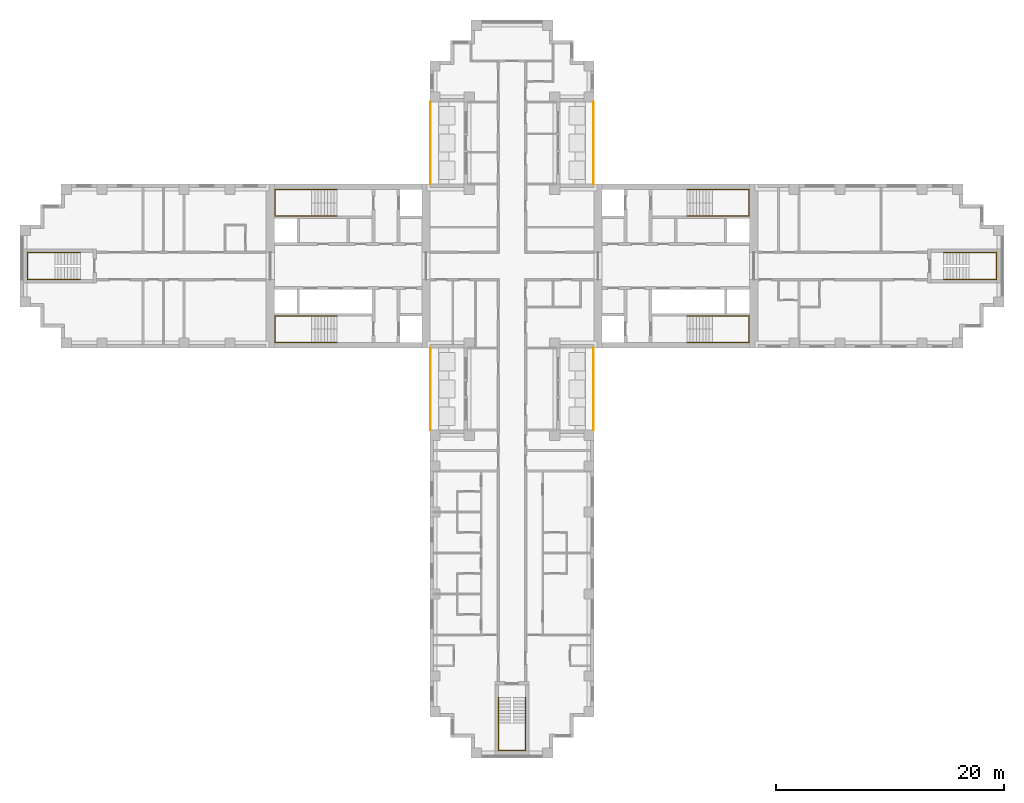
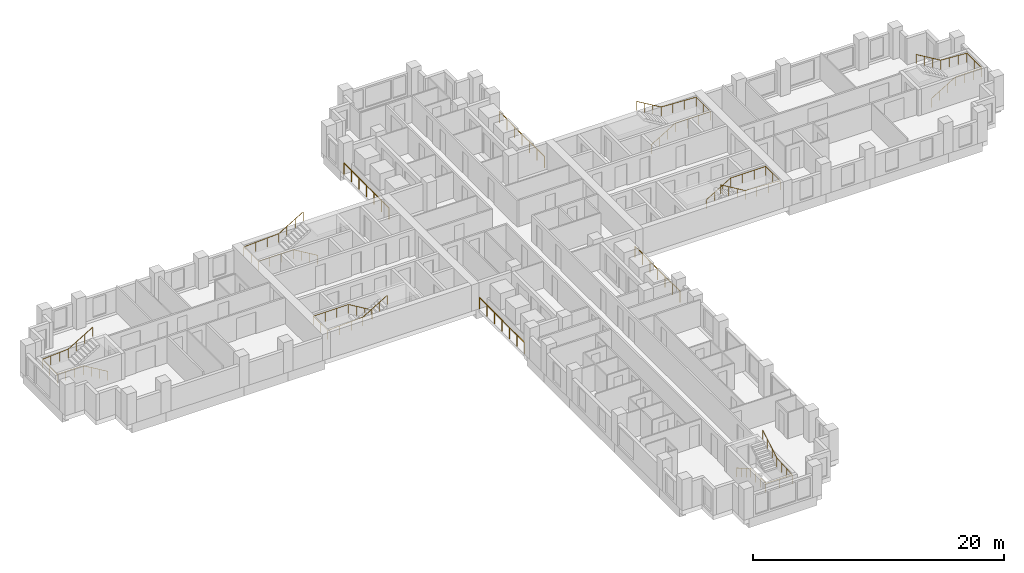
# One storey, part 12 of 13: 11 railings.
"""IFC4 building model written with IfcOpenShell, lengths in metres."""

from ifc_helpers import new_model, si_unit, direction, frame, origin, origin_2d, place, context, subcontext, project, spatial, circle, extrude, material, type_object, element, save


model = new_model("IFC4")

# Units and contexts
model_context = context("Model", 3, precision=1e-05, world=origin(), true_north=direction((0.0, 1.0)))
body_context = subcontext(model_context, "Body", "Model", "MODEL_VIEW")
ifc_project = project(units=[si_unit("LENGTHUNIT", "METRE"), si_unit("AREAUNIT", "SQUARE_METRE"), si_unit("VOLUMEUNIT", "CUBIC_METRE"), si_unit("PLANEANGLEUNIT", "RADIAN"), si_unit("MASSUNIT", "GRAM", prefix="KILO")], contexts=[model_context])

# Site, building, storey
site_placement = place(None, origin())
site = spatial("IfcSite", under=ifc_project, at=site_placement, CompositionType="ELEMENT")
building_placement = place(site_placement, origin())
building = spatial("IfcBuilding", under=site, at=building_placement, Name="Fustian Cross Tower", CompositionType="ELEMENT")
storey_placement = place(building_placement, frame((0.0, 0.0, 108.89990234375)))
storey = spatial("IfcBuildingStorey", under=building, at=storey_placement, Name="L34", CompositionType="ELEMENT", Elevation=108.89990234375)

# Railings
ifc_material_1 = material(Name="Stainless steel and glass", Category="steel")
railing_type_1 = type_object("IfcRailingType", Name="GR1 BALCONY GUARD 1100", PredefinedType="GUARDRAIL", material=ifc_material_1)
for number, where, name in (
    (1, (7.14990234375, 7.199951171875, 0.0), "Balcony guard"),
    (2, (-7.14990234375, 7.199951171875, 0.0), "Balcony guard"),
    (3, (7.14990234375, -14.39990234375, 0.0), "Balcony guard"),
    (4, (-7.14990234375, -14.39990234375, 0.0), "Balcony guard"),
):
    element("IfcRailing", number, at=place(storey_placement, frame(where)), inside=storey, type_object=railing_type_1, Name=name, PredefinedType="GUARDRAIL", context=body_context, shape_type="SweptSolid", body=[
        extrude(circle(Radius=0.02392578125, at=origin_2d()), frame((0.0, 0.0, 1.076171875), z_axis=(0.0, 1.0, 0.0), x_axis=(-1.0, 0.0, 0.0)), (0.0, 0.0, 1.0), 7.199951171875),
        extrude(circle(Radius=0.02099609375, at=origin_2d()), origin(), (0.0, 0.0, 1.0), 1.052001953125),
        extrude(circle(Radius=0.02099609375, at=origin_2d()), frame((0.0, 1.199951171875, 0.0)), (0.0, 0.0, 1.0), 1.052001953125),
        extrude(circle(Radius=0.02099609375, at=origin_2d()), frame((0.0, 2.39990234375, 0.0)), (0.0, 0.0, 1.0), 1.052001953125),
        extrude(circle(Radius=0.02099609375, at=origin_2d()), frame((0.0, 3.60009765625, 0.0)), (0.0, 0.0, 1.0), 1.052001953125),
        extrude(circle(Radius=0.02099609375, at=origin_2d()), frame((0.0, 4.800048828125, 0.0)), (0.0, 0.0, 1.0), 1.052001953125),
        extrude(circle(Radius=0.02099609375, at=origin_2d()), frame((0.0, 6.0, 0.0)), (0.0, 0.0, 1.0), 1.052001953125),
        extrude(circle(Radius=0.02099609375, at=origin_2d()), frame((0.0, 7.199951171875, 0.0)), (0.0, 0.0, 1.0), 1.052001953125),
    ])
ifc_material_2 = material(Name="Stainless steel", Category="steel")
railing_type_2 = type_object("IfcRailingType", Name="STAIR HANDRAIL", PredefinedType="HANDRAIL", material=ifc_material_2)
railing_1_placement = place(storey_placement, frame((15.35009765625, 4.39990234375, 0.166748046875)))
element("IfcRailing", 5, at=railing_1_placement, inside=storey, type_object=railing_type_2, Name="Stair ST1 handrail 1", PredefinedType="HANDRAIL", context=body_context, shape_type="SweptSolid", body=[
    extrude(circle(Radius=0.02490234375, at=origin_2d()), frame((0.0, 0.0, 0.875), z_axis=(0.859305625298, 0.0, 0.511462454469), x_axis=(0.0, 1.0, 0.0)), (0.0, 0.0, 1.0), 2.606689453125),
    extrude(circle(Radius=0.02490234375, at=origin_2d()), frame((2.239990234375, 0.0, 2.2080078125), z_axis=(1.0, 0.0, 0.0), x_axis=(0.0, 1.0, 0.0)), (0.0, 0.0, 1.0), 3.219970703125),
    extrude(circle(Radius=0.02490234375, at=origin_2d()), frame((5.4599609375, 0.0, 2.2080078125), z_axis=(0.0, 1.0, 0.0), x_axis=(-1.0, 0.0, 0.0)), (0.0, 0.0, 1.0), 2.300048828125),
    extrude(circle(Radius=0.02490234375, at=origin_2d()), frame((5.4599609375, 2.300048828125, 2.2080078125), z_axis=(-0.998661817807, 0.0, 0.051716280352), x_axis=(0.0, -1.0, 0.0)), (0.0, 0.0, 1.0), 3.224365234375),
    extrude(circle(Radius=0.02490234375, at=origin_2d()), frame((2.239990234375, 2.300048828125, 2.375), z_axis=(-0.859305625298, 0.0, 0.511462454469), x_axis=(0.0, -1.0, 0.0)), (0.0, 0.0, 1.0), 2.606689453125),
    extrude(circle(Radius=0.02001953125, at=origin_2d()), origin(), (0.0, 0.0, 1.0), 0.849853515625),
    extrude(circle(Radius=0.02001953125, at=origin_2d()), frame((0.74658203125, 0.0, 0.4443359375)), (0.0, 0.0, 1.0), 0.849853515625),
    extrude(circle(Radius=0.02001953125, at=origin_2d()), frame((1.493408203125, 0.0, 0.888916015625)), (0.0, 0.0, 1.0), 0.849853515625),
    extrude(circle(Radius=0.02001953125, at=origin_2d()), frame((2.239990234375, 0.0, 1.333251953125)), (0.0, 0.0, 1.0), 0.849853515625),
    extrude(circle(Radius=0.02001953125, at=origin_2d()), frame((3.313232421875, 0.0, 1.333251953125)), (0.0, 0.0, 1.0), 0.849853515625),
    extrude(circle(Radius=0.02001953125, at=origin_2d()), frame((4.38671875, 0.0, 1.333251953125)), (0.0, 0.0, 1.0), 0.849853515625),
    extrude(circle(Radius=0.02001953125, at=origin_2d()), frame((5.4599609375, 0.0, 1.333251953125)), (0.0, 0.0, 1.0), 0.849853515625),
    extrude(circle(Radius=0.02001953125, at=origin_2d()), frame((5.4599609375, 1.14990234375, 1.333251953125)), (0.0, 0.0, 1.0), 0.849853515625),
    extrude(circle(Radius=0.02001953125, at=origin_2d()), frame((5.4599609375, 2.300048828125, 1.333251953125)), (0.0, 0.0, 1.0), 0.849853515625),
    extrude(circle(Radius=0.02001953125, at=origin_2d()), frame((4.38671875, 2.300048828125, 1.388916015625)), (0.0, 0.0, 1.0), 0.849853515625),
    extrude(circle(Radius=0.02001953125, at=origin_2d()), frame((3.313232421875, 2.300048828125, 1.4443359375)), (0.0, 0.0, 1.0), 0.849853515625),
    extrude(circle(Radius=0.02001953125, at=origin_2d()), frame((2.239990234375, 2.300048828125, 1.5)), (0.0, 0.0, 1.0), 0.849853515625),
    extrude(circle(Radius=0.02001953125, at=origin_2d()), frame((1.493408203125, 2.300048828125, 1.9443359375)), (0.0, 0.0, 1.0), 0.849853515625),
    extrude(circle(Radius=0.02001953125, at=origin_2d()), frame((0.74658203125, 2.300048828125, 2.388916015625)), (0.0, 0.0, 1.0), 0.849853515625),
    extrude(circle(Radius=0.02001953125, at=origin_2d()), frame((0.0, 2.300048828125, 2.833251953125)), (0.0, 0.0, 1.0), 0.849853515625),
])
railing_2_placement = place(storey_placement, frame((15.35009765625, -4.39990234375, 0.166748046875)))
element("IfcRailing", 6, at=railing_2_placement, inside=storey, type_object=railing_type_2, Name="Stair ST2 handrail 1", PredefinedType="HANDRAIL", context=body_context, shape_type="SweptSolid", body=[
    extrude(circle(Radius=0.02490234375, at=origin_2d()), frame((0.0, 0.0, 0.875), z_axis=(0.859305625298, 0.0, 0.511462454469), x_axis=(0.0, 1.0, 0.0)), (0.0, 0.0, 1.0), 2.606689453125),
    extrude(circle(Radius=0.02490234375, at=origin_2d()), frame((2.239990234375, 0.0, 2.2080078125), z_axis=(1.0, 0.0, 0.0), x_axis=(0.0, 1.0, 0.0)), (0.0, 0.0, 1.0), 3.219970703125),
    extrude(circle(Radius=0.02490234375, at=origin_2d()), frame((5.4599609375, 0.0, 2.2080078125), z_axis=(0.0, -1.0, 0.0), x_axis=(1.0, 0.0, 0.0)), (0.0, 0.0, 1.0), 2.300048828125),
    extrude(circle(Radius=0.02490234375, at=origin_2d()), frame((5.4599609375, -2.300048828125, 2.2080078125), z_axis=(-0.998661817807, 0.0, 0.051716280352), x_axis=(0.0, -1.0, 0.0)), (0.0, 0.0, 1.0), 3.224365234375),
    extrude(circle(Radius=0.02490234375, at=origin_2d()), frame((2.239990234375, -2.300048828125, 2.375), z_axis=(-0.859305625298, 0.0, 0.511462454469), x_axis=(0.0, -1.0, 0.0)), (0.0, 0.0, 1.0), 2.606689453125),
    extrude(circle(Radius=0.02001953125, at=origin_2d()), origin(), (0.0, 0.0, 1.0), 0.849853515625),
    extrude(circle(Radius=0.02001953125, at=origin_2d()), frame((0.74658203125, 0.0, 0.4443359375)), (0.0, 0.0, 1.0), 0.849853515625),
    extrude(circle(Radius=0.02001953125, at=origin_2d()), frame((1.493408203125, 0.0, 0.888916015625)), (0.0, 0.0, 1.0), 0.849853515625),
    extrude(circle(Radius=0.02001953125, at=origin_2d()), frame((2.239990234375, 0.0, 1.333251953125)), (0.0, 0.0, 1.0), 0.849853515625),
    extrude(circle(Radius=0.02001953125, at=origin_2d()), frame((3.313232421875, 0.0, 1.333251953125)), (0.0, 0.0, 1.0), 0.849853515625),
    extrude(circle(Radius=0.02001953125, at=origin_2d()), frame((4.38671875, 0.0, 1.333251953125)), (0.0, 0.0, 1.0), 0.849853515625),
    extrude(circle(Radius=0.02001953125, at=origin_2d()), frame((5.4599609375, 0.0, 1.333251953125)), (0.0, 0.0, 1.0), 0.849853515625),
    extrude(circle(Radius=0.02001953125, at=origin_2d()), frame((5.4599609375, -1.14990234375, 1.333251953125)), (0.0, 0.0, 1.0), 0.849853515625),
    extrude(circle(Radius=0.02001953125, at=origin_2d()), frame((5.4599609375, -2.300048828125, 1.333251953125)), (0.0, 0.0, 1.0), 0.849853515625),
    extrude(circle(Radius=0.02001953125, at=origin_2d()), frame((4.38671875, -2.300048828125, 1.388916015625)), (0.0, 0.0, 1.0), 0.849853515625),
    extrude(circle(Radius=0.02001953125, at=origin_2d()), frame((3.313232421875, -2.300048828125, 1.4443359375)), (0.0, 0.0, 1.0), 0.849853515625),
    extrude(circle(Radius=0.02001953125, at=origin_2d()), frame((2.239990234375, -2.300048828125, 1.5)), (0.0, 0.0, 1.0), 0.849853515625),
    extrude(circle(Radius=0.02001953125, at=origin_2d()), frame((1.493408203125, -2.300048828125, 1.9443359375)), (0.0, 0.0, 1.0), 0.849853515625),
    extrude(circle(Radius=0.02001953125, at=origin_2d()), frame((0.74658203125, -2.300048828125, 2.388916015625)), (0.0, 0.0, 1.0), 0.849853515625),
    extrude(circle(Radius=0.02001953125, at=origin_2d()), frame((0.0, -2.300048828125, 2.833251953125)), (0.0, 0.0, 1.0), 0.849853515625),
])
railing_3_placement = place(storey_placement, frame((-15.35009765625, 4.39990234375, 0.166748046875)))
element("IfcRailing", 7, at=railing_3_placement, inside=storey, type_object=railing_type_2, Name="Stair ST3 handrail 1", PredefinedType="HANDRAIL", context=body_context, shape_type="SweptSolid", body=[
    extrude(circle(Radius=0.02490234375, at=origin_2d()), frame((0.0, 0.0, 0.875), z_axis=(-0.859305625298, 0.0, 0.511462454469), x_axis=(0.0, -1.0, 0.0)), (0.0, 0.0, 1.0), 2.606689453125),
    extrude(circle(Radius=0.02490234375, at=origin_2d()), frame((-2.239990234375, 0.0, 2.2080078125), z_axis=(-1.0, 0.0, 0.0), x_axis=(0.0, -1.0, 0.0)), (0.0, 0.0, 1.0), 3.219970703125),
    extrude(circle(Radius=0.02490234375, at=origin_2d()), frame((-5.4599609375, 0.0, 2.2080078125), z_axis=(0.0, 1.0, 0.0), x_axis=(-1.0, 0.0, 0.0)), (0.0, 0.0, 1.0), 2.300048828125),
    extrude(circle(Radius=0.02490234375, at=origin_2d()), frame((-5.4599609375, 2.300048828125, 2.2080078125), z_axis=(0.998661817807, 0.0, 0.051716280352), x_axis=(0.0, 1.0, 0.0)), (0.0, 0.0, 1.0), 3.224365234375),
    extrude(circle(Radius=0.02490234375, at=origin_2d()), frame((-2.239990234375, 2.300048828125, 2.375), z_axis=(0.859305625298, 0.0, 0.511462454469), x_axis=(0.0, 1.0, 0.0)), (0.0, 0.0, 1.0), 2.606689453125),
    extrude(circle(Radius=0.02001953125, at=origin_2d()), origin(), (0.0, 0.0, 1.0), 0.849853515625),
    extrude(circle(Radius=0.02001953125, at=origin_2d()), frame((-0.74658203125, 0.0, 0.4443359375)), (0.0, 0.0, 1.0), 0.849853515625),
    extrude(circle(Radius=0.02001953125, at=origin_2d()), frame((-1.493408203125, 0.0, 0.888916015625)), (0.0, 0.0, 1.0), 0.849853515625),
    extrude(circle(Radius=0.02001953125, at=origin_2d()), frame((-2.239990234375, 0.0, 1.333251953125)), (0.0, 0.0, 1.0), 0.849853515625),
    extrude(circle(Radius=0.02001953125, at=origin_2d()), frame((-3.313232421875, 0.0, 1.333251953125)), (0.0, 0.0, 1.0), 0.849853515625),
    extrude(circle(Radius=0.02001953125, at=origin_2d()), frame((-4.38671875, 0.0, 1.333251953125)), (0.0, 0.0, 1.0), 0.849853515625),
    extrude(circle(Radius=0.02001953125, at=origin_2d()), frame((-5.4599609375, 0.0, 1.333251953125)), (0.0, 0.0, 1.0), 0.849853515625),
    extrude(circle(Radius=0.02001953125, at=origin_2d()), frame((-5.4599609375, 1.14990234375, 1.333251953125)), (0.0, 0.0, 1.0), 0.849853515625),
    extrude(circle(Radius=0.02001953125, at=origin_2d()), frame((-5.4599609375, 2.300048828125, 1.333251953125)), (0.0, 0.0, 1.0), 0.849853515625),
    extrude(circle(Radius=0.02001953125, at=origin_2d()), frame((-4.38671875, 2.300048828125, 1.388916015625)), (0.0, 0.0, 1.0), 0.849853515625),
    extrude(circle(Radius=0.02001953125, at=origin_2d()), frame((-3.313232421875, 2.300048828125, 1.4443359375)), (0.0, 0.0, 1.0), 0.849853515625),
    extrude(circle(Radius=0.02001953125, at=origin_2d()), frame((-2.239990234375, 2.300048828125, 1.5)), (0.0, 0.0, 1.0), 0.849853515625),
    extrude(circle(Radius=0.02001953125, at=origin_2d()), frame((-1.493408203125, 2.300048828125, 1.9443359375)), (0.0, 0.0, 1.0), 0.849853515625),
    extrude(circle(Radius=0.02001953125, at=origin_2d()), frame((-0.74658203125, 2.300048828125, 2.388916015625)), (0.0, 0.0, 1.0), 0.849853515625),
    extrude(circle(Radius=0.02001953125, at=origin_2d()), frame((0.0, 2.300048828125, 2.833251953125)), (0.0, 0.0, 1.0), 0.849853515625),
])
railing_4_placement = place(storey_placement, frame((-15.35009765625, -4.39990234375, 0.166748046875)))
element("IfcRailing", 8, at=railing_4_placement, inside=storey, type_object=railing_type_2, Name="Stair ST4 handrail 1", PredefinedType="HANDRAIL", context=body_context, shape_type="SweptSolid", body=[
    extrude(circle(Radius=0.02490234375, at=origin_2d()), frame((0.0, 0.0, 0.875), z_axis=(-0.859305625298, 0.0, 0.511462454469), x_axis=(0.0, -1.0, 0.0)), (0.0, 0.0, 1.0), 2.606689453125),
    extrude(circle(Radius=0.02490234375, at=origin_2d()), frame((-2.239990234375, 0.0, 2.2080078125), z_axis=(-1.0, 0.0, 0.0), x_axis=(0.0, -1.0, 0.0)), (0.0, 0.0, 1.0), 3.219970703125),
    extrude(circle(Radius=0.02490234375, at=origin_2d()), frame((-5.4599609375, 0.0, 2.2080078125), z_axis=(0.0, -1.0, 0.0), x_axis=(1.0, 0.0, 0.0)), (0.0, 0.0, 1.0), 2.300048828125),
    extrude(circle(Radius=0.02490234375, at=origin_2d()), frame((-5.4599609375, -2.300048828125, 2.2080078125), z_axis=(0.998661817807, 0.0, 0.051716280352), x_axis=(0.0, 1.0, 0.0)), (0.0, 0.0, 1.0), 3.224365234375),
    extrude(circle(Radius=0.02490234375, at=origin_2d()), frame((-2.239990234375, -2.300048828125, 2.375), z_axis=(0.859305625298, 0.0, 0.511462454469), x_axis=(0.0, 1.0, 0.0)), (0.0, 0.0, 1.0), 2.606689453125),
    extrude(circle(Radius=0.02001953125, at=origin_2d()), origin(), (0.0, 0.0, 1.0), 0.849853515625),
    extrude(circle(Radius=0.02001953125, at=origin_2d()), frame((-0.74658203125, 0.0, 0.4443359375)), (0.0, 0.0, 1.0), 0.849853515625),
    extrude(circle(Radius=0.02001953125, at=origin_2d()), frame((-1.493408203125, 0.0, 0.888916015625)), (0.0, 0.0, 1.0), 0.849853515625),
    extrude(circle(Radius=0.02001953125, at=origin_2d()), frame((-2.239990234375, 0.0, 1.333251953125)), (0.0, 0.0, 1.0), 0.849853515625),
    extrude(circle(Radius=0.02001953125, at=origin_2d()), frame((-3.313232421875, 0.0, 1.333251953125)), (0.0, 0.0, 1.0), 0.849853515625),
    extrude(circle(Radius=0.02001953125, at=origin_2d()), frame((-4.38671875, 0.0, 1.333251953125)), (0.0, 0.0, 1.0), 0.849853515625),
    extrude(circle(Radius=0.02001953125, at=origin_2d()), frame((-5.4599609375, 0.0, 1.333251953125)), (0.0, 0.0, 1.0), 0.849853515625),
    extrude(circle(Radius=0.02001953125, at=origin_2d()), frame((-5.4599609375, -1.14990234375, 1.333251953125)), (0.0, 0.0, 1.0), 0.849853515625),
    extrude(circle(Radius=0.02001953125, at=origin_2d()), frame((-5.4599609375, -2.300048828125, 1.333251953125)), (0.0, 0.0, 1.0), 0.849853515625),
    extrude(circle(Radius=0.02001953125, at=origin_2d()), frame((-4.38671875, -2.300048828125, 1.388916015625)), (0.0, 0.0, 1.0), 0.849853515625),
    extrude(circle(Radius=0.02001953125, at=origin_2d()), frame((-3.313232421875, -2.300048828125, 1.4443359375)), (0.0, 0.0, 1.0), 0.849853515625),
    extrude(circle(Radius=0.02001953125, at=origin_2d()), frame((-2.239990234375, -2.300048828125, 1.5)), (0.0, 0.0, 1.0), 0.849853515625),
    extrude(circle(Radius=0.02001953125, at=origin_2d()), frame((-1.493408203125, -2.300048828125, 1.9443359375)), (0.0, 0.0, 1.0), 0.849853515625),
    extrude(circle(Radius=0.02001953125, at=origin_2d()), frame((-0.74658203125, -2.300048828125, 2.388916015625)), (0.0, 0.0, 1.0), 0.849853515625),
    extrude(circle(Radius=0.02001953125, at=origin_2d()), frame((0.0, -2.300048828125, 2.833251953125)), (0.0, 0.0, 1.0), 0.849853515625),
])
railing_5_placement = place(storey_placement, frame((-1.199951171875, -37.89990234375, 0.166748046875)))
element("IfcRailing", 9, at=railing_5_placement, inside=storey, type_object=railing_type_2, Name="Stair ST6 handrail 1", PredefinedType="HANDRAIL", context=body_context, shape_type="SweptSolid", body=[
    extrude(circle(Radius=0.02490234375, at=origin_2d()), frame((0.0, 0.0, 0.875), z_axis=(0.0, -0.859305625298, 0.511462454469), x_axis=(1.0, 0.0, 0.0)), (0.0, 0.0, 1.0), 2.606689453125),
    extrude(circle(Radius=0.02490234375, at=origin_2d()), frame((0.0, -2.239990234375, 2.2080078125), z_axis=(0.0, -1.0, 0.0), x_axis=(1.0, 0.0, 0.0)), (0.0, 0.0, 1.0), 2.420166015625),
    extrude(circle(Radius=0.02490234375, at=origin_2d()), frame((0.0, -4.66015625, 2.2080078125), z_axis=(1.0, 0.0, 0.0), x_axis=(0.0, 1.0, 0.0)), (0.0, 0.0, 1.0), 2.39990234375),
    extrude(circle(Radius=0.02490234375, at=origin_2d()), frame((2.39990234375, -4.66015625, 2.2080078125), z_axis=(0.0, 0.997634852044, 0.068736467663), x_axis=(-1.0, 0.0, 0.0)), (0.0, 0.0, 1.0), 2.426025390625),
    extrude(circle(Radius=0.02490234375, at=origin_2d()), frame((2.39990234375, -2.239990234375, 2.375), z_axis=(0.0, 0.859305625298, 0.511462454469), x_axis=(-1.0, 0.0, 0.0)), (0.0, 0.0, 1.0), 2.606689453125),
    extrude(circle(Radius=0.02001953125, at=origin_2d()), origin(), (0.0, 0.0, 1.0), 0.849853515625),
    extrude(circle(Radius=0.02001953125, at=origin_2d()), frame((0.0, -0.74658203125, 0.4443359375)), (0.0, 0.0, 1.0), 0.849853515625),
    extrude(circle(Radius=0.02001953125, at=origin_2d()), frame((0.0, -1.493408203125, 0.888916015625)), (0.0, 0.0, 1.0), 0.849853515625),
    extrude(circle(Radius=0.02001953125, at=origin_2d()), frame((0.0, -2.239990234375, 1.333251953125)), (0.0, 0.0, 1.0), 0.849853515625),
    extrude(circle(Radius=0.02001953125, at=origin_2d()), frame((0.0, -3.046630859375, 1.333251953125)), (0.0, 0.0, 1.0), 0.849853515625),
    extrude(circle(Radius=0.02001953125, at=origin_2d()), frame((0.0, -3.853515625, 1.333251953125)), (0.0, 0.0, 1.0), 0.849853515625),
    extrude(circle(Radius=0.02001953125, at=origin_2d()), frame((0.0, -4.66015625, 1.333251953125)), (0.0, 0.0, 1.0), 0.849853515625),
    extrude(circle(Radius=0.02001953125, at=origin_2d()), frame((1.199951171875, -4.66015625, 1.333251953125)), (0.0, 0.0, 1.0), 0.849853515625),
    extrude(circle(Radius=0.02001953125, at=origin_2d()), frame((2.39990234375, -4.66015625, 1.333251953125)), (0.0, 0.0, 1.0), 0.849853515625),
    extrude(circle(Radius=0.02001953125, at=origin_2d()), frame((2.39990234375, -3.853515625, 1.388916015625)), (0.0, 0.0, 1.0), 0.849853515625),
    extrude(circle(Radius=0.02001953125, at=origin_2d()), frame((2.39990234375, -3.046630859375, 1.4443359375)), (0.0, 0.0, 1.0), 0.849853515625),
    extrude(circle(Radius=0.02001953125, at=origin_2d()), frame((2.39990234375, -2.239990234375, 1.5)), (0.0, 0.0, 1.0), 0.849853515625),
    extrude(circle(Radius=0.02001953125, at=origin_2d()), frame((2.39990234375, -1.493408203125, 1.9443359375)), (0.0, 0.0, 1.0), 0.849853515625),
    extrude(circle(Radius=0.02001953125, at=origin_2d()), frame((2.39990234375, -0.74658203125, 2.388916015625)), (0.0, 0.0, 1.0), 0.849853515625),
    extrude(circle(Radius=0.02001953125, at=origin_2d()), frame((2.39990234375, 0.0, 2.833251953125)), (0.0, 0.0, 1.0), 0.849853515625),
])
railing_6_placement = place(storey_placement, frame((37.89990234375, -1.199951171875, 0.166748046875)))
element("IfcRailing", 10, at=railing_6_placement, inside=storey, type_object=railing_type_2, Name="Stair ST8 handrail 1", PredefinedType="HANDRAIL", context=body_context, shape_type="SweptSolid", body=[
    extrude(circle(Radius=0.02490234375, at=origin_2d()), frame((0.0, 0.0, 0.875), z_axis=(0.859305625298, 0.0, 0.511462454469), x_axis=(0.0, 1.0, 0.0)), (0.0, 0.0, 1.0), 2.606689453125),
    extrude(circle(Radius=0.02490234375, at=origin_2d()), frame((2.239990234375, 0.0, 2.2080078125), z_axis=(1.0, 0.0, 0.0), x_axis=(0.0, 1.0, 0.0)), (0.0, 0.0, 1.0), 2.420166015625),
    extrude(circle(Radius=0.02490234375, at=origin_2d()), frame((4.66015625, 0.0, 2.2080078125), z_axis=(0.0, 1.0, 0.0), x_axis=(-1.0, 0.0, 0.0)), (0.0, 0.0, 1.0), 2.39990234375),
    extrude(circle(Radius=0.02490234375, at=origin_2d()), frame((4.66015625, 2.39990234375, 2.2080078125), z_axis=(-0.997634852044, 0.0, 0.068736467663), x_axis=(0.0, -1.0, 0.0)), (0.0, 0.0, 1.0), 2.426025390625),
    extrude(circle(Radius=0.02490234375, at=origin_2d()), frame((2.239990234375, 2.39990234375, 2.375), z_axis=(-0.859305625298, 0.0, 0.511462454469), x_axis=(0.0, -1.0, 0.0)), (0.0, 0.0, 1.0), 2.606689453125),
    extrude(circle(Radius=0.02001953125, at=origin_2d()), origin(), (0.0, 0.0, 1.0), 0.849853515625),
    extrude(circle(Radius=0.02001953125, at=origin_2d()), frame((0.74658203125, 0.0, 0.4443359375)), (0.0, 0.0, 1.0), 0.849853515625),
    extrude(circle(Radius=0.02001953125, at=origin_2d()), frame((1.493408203125, 0.0, 0.888916015625)), (0.0, 0.0, 1.0), 0.849853515625),
    extrude(circle(Radius=0.02001953125, at=origin_2d()), frame((2.239990234375, 0.0, 1.333251953125)), (0.0, 0.0, 1.0), 0.849853515625),
    extrude(circle(Radius=0.02001953125, at=origin_2d()), frame((3.046630859375, 0.0, 1.333251953125)), (0.0, 0.0, 1.0), 0.849853515625),
    extrude(circle(Radius=0.02001953125, at=origin_2d()), frame((3.853515625, 0.0, 1.333251953125)), (0.0, 0.0, 1.0), 0.849853515625),
    extrude(circle(Radius=0.02001953125, at=origin_2d()), frame((4.66015625, 0.0, 1.333251953125)), (0.0, 0.0, 1.0), 0.849853515625),
    extrude(circle(Radius=0.02001953125, at=origin_2d()), frame((4.66015625, 1.199951171875, 1.333251953125)), (0.0, 0.0, 1.0), 0.849853515625),
    extrude(circle(Radius=0.02001953125, at=origin_2d()), frame((4.66015625, 2.39990234375, 1.333251953125)), (0.0, 0.0, 1.0), 0.849853515625),
    extrude(circle(Radius=0.02001953125, at=origin_2d()), frame((3.853515625, 2.39990234375, 1.388916015625)), (0.0, 0.0, 1.0), 0.849853515625),
    extrude(circle(Radius=0.02001953125, at=origin_2d()), frame((3.046630859375, 2.39990234375, 1.4443359375)), (0.0, 0.0, 1.0), 0.849853515625),
    extrude(circle(Radius=0.02001953125, at=origin_2d()), frame((2.239990234375, 2.39990234375, 1.5)), (0.0, 0.0, 1.0), 0.849853515625),
    extrude(circle(Radius=0.02001953125, at=origin_2d()), frame((1.493408203125, 2.39990234375, 1.9443359375)), (0.0, 0.0, 1.0), 0.849853515625),
    extrude(circle(Radius=0.02001953125, at=origin_2d()), frame((0.74658203125, 2.39990234375, 2.388916015625)), (0.0, 0.0, 1.0), 0.849853515625),
    extrude(circle(Radius=0.02001953125, at=origin_2d()), frame((0.0, 2.39990234375, 2.833251953125)), (0.0, 0.0, 1.0), 0.849853515625),
])
railing_7_placement = place(storey_placement, frame((-37.89990234375, -1.199951171875, 0.166748046875)))
element("IfcRailing", 11, at=railing_7_placement, inside=storey, type_object=railing_type_2, Name="Stair ST9 handrail 1", PredefinedType="HANDRAIL", context=body_context, shape_type="SweptSolid", body=[
    extrude(circle(Radius=0.02490234375, at=origin_2d()), frame((0.0, 0.0, 0.875), z_axis=(-0.859305625298, 0.0, 0.511462454469), x_axis=(0.0, -1.0, 0.0)), (0.0, 0.0, 1.0), 2.606689453125),
    extrude(circle(Radius=0.02490234375, at=origin_2d()), frame((-2.239990234375, 0.0, 2.2080078125), z_axis=(-1.0, 0.0, 0.0), x_axis=(0.0, -1.0, 0.0)), (0.0, 0.0, 1.0), 2.420166015625),
    extrude(circle(Radius=0.02490234375, at=origin_2d()), frame((-4.66015625, 0.0, 2.2080078125), z_axis=(0.0, 1.0, 0.0), x_axis=(-1.0, 0.0, 0.0)), (0.0, 0.0, 1.0), 2.39990234375),
    extrude(circle(Radius=0.02490234375, at=origin_2d()), frame((-4.66015625, 2.39990234375, 2.2080078125), z_axis=(0.997634852044, 0.0, 0.068736467663), x_axis=(0.0, 1.0, 0.0)), (0.0, 0.0, 1.0), 2.426025390625),
    extrude(circle(Radius=0.02490234375, at=origin_2d()), frame((-2.239990234375, 2.39990234375, 2.375), z_axis=(0.859305625298, 0.0, 0.511462454469), x_axis=(0.0, 1.0, 0.0)), (0.0, 0.0, 1.0), 2.606689453125),
    extrude(circle(Radius=0.02001953125, at=origin_2d()), origin(), (0.0, 0.0, 1.0), 0.849853515625),
    extrude(circle(Radius=0.02001953125, at=origin_2d()), frame((-0.74658203125, 0.0, 0.4443359375)), (0.0, 0.0, 1.0), 0.849853515625),
    extrude(circle(Radius=0.02001953125, at=origin_2d()), frame((-1.493408203125, 0.0, 0.888916015625)), (0.0, 0.0, 1.0), 0.849853515625),
    extrude(circle(Radius=0.02001953125, at=origin_2d()), frame((-2.239990234375, 0.0, 1.333251953125)), (0.0, 0.0, 1.0), 0.849853515625),
    extrude(circle(Radius=0.02001953125, at=origin_2d()), frame((-3.046630859375, 0.0, 1.333251953125)), (0.0, 0.0, 1.0), 0.849853515625),
    extrude(circle(Radius=0.02001953125, at=origin_2d()), frame((-3.853515625, 0.0, 1.333251953125)), (0.0, 0.0, 1.0), 0.849853515625),
    extrude(circle(Radius=0.02001953125, at=origin_2d()), frame((-4.66015625, 0.0, 1.333251953125)), (0.0, 0.0, 1.0), 0.849853515625),
    extrude(circle(Radius=0.02001953125, at=origin_2d()), frame((-4.66015625, 1.199951171875, 1.333251953125)), (0.0, 0.0, 1.0), 0.849853515625),
    extrude(circle(Radius=0.02001953125, at=origin_2d()), frame((-4.66015625, 2.39990234375, 1.333251953125)), (0.0, 0.0, 1.0), 0.849853515625),
    extrude(circle(Radius=0.02001953125, at=origin_2d()), frame((-3.853515625, 2.39990234375, 1.388916015625)), (0.0, 0.0, 1.0), 0.849853515625),
    extrude(circle(Radius=0.02001953125, at=origin_2d()), frame((-3.046630859375, 2.39990234375, 1.4443359375)), (0.0, 0.0, 1.0), 0.849853515625),
    extrude(circle(Radius=0.02001953125, at=origin_2d()), frame((-2.239990234375, 2.39990234375, 1.5)), (0.0, 0.0, 1.0), 0.849853515625),
    extrude(circle(Radius=0.02001953125, at=origin_2d()), frame((-1.493408203125, 2.39990234375, 1.9443359375)), (0.0, 0.0, 1.0), 0.849853515625),
    extrude(circle(Radius=0.02001953125, at=origin_2d()), frame((-0.74658203125, 2.39990234375, 2.388916015625)), (0.0, 0.0, 1.0), 0.849853515625),
    extrude(circle(Radius=0.02001953125, at=origin_2d()), frame((0.0, 2.39990234375, 2.833251953125)), (0.0, 0.0, 1.0), 0.849853515625),
])

save(model, "model.ifc")
